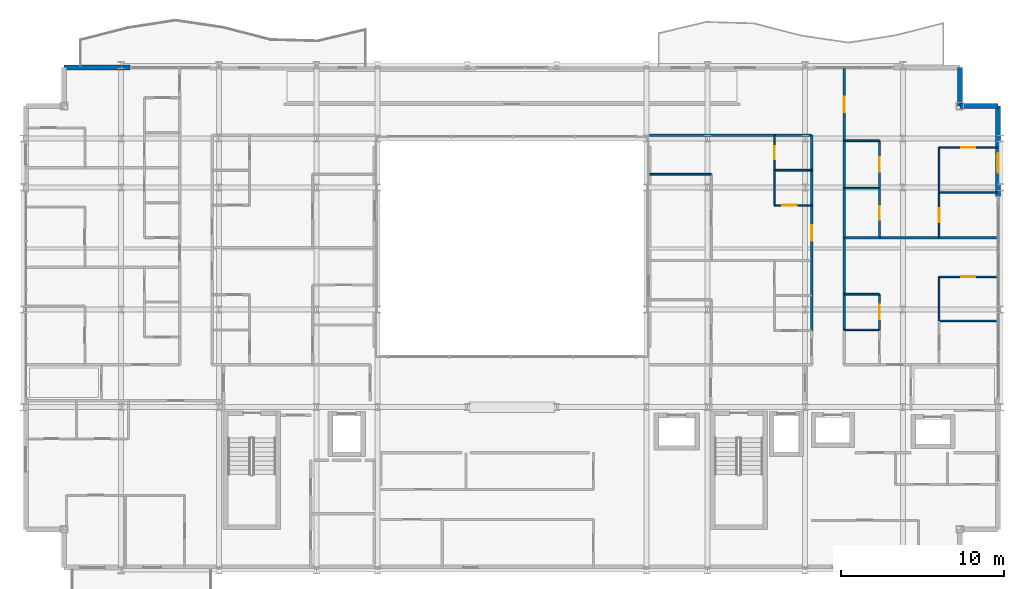
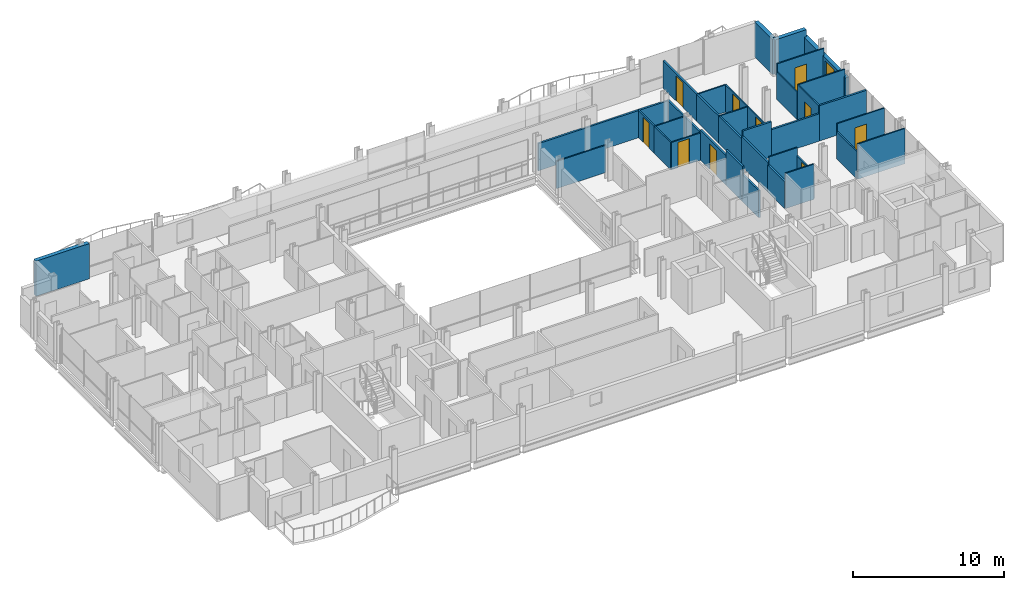
# One storey, part 36 of 41: 38 walls, 10 doors, 1 window, 11 openings.
"""IFC4 building model written with IfcOpenShell, lengths in metres."""

import ifcopenshell
import ifcopenshell.guid

model = None  # the IFC model being written
_history = None  # IfcOwnerHistory: only IFC2X3 demands one
_inside = {}  # id of a spatial element -> (the spatial element, [elements in it])
_under = {}  # id of a project, library or spatial element -> (it, [spatial elements below it])
_declared = {}  # id of a project -> (the project, [libraries it declares])
_typed = {}  # id of a type object -> (the type object, [elements of that type])
_made_of = {}  # id of a material, layer set ... -> (it, [elements and type objects made of it])


def new_model(schema):
    """Start an empty IFC model of exactly this schema.

    Asked for "IFC4X3", IfcOpenShell would pick the latest addendum, in which some entities
    have other attributes; the version numbers below select the first issue.
    IFC2X3 requires an IfcOwnerHistory on every rooted entity: one is made here for all.
    """
    global model, _history
    if schema == "IFC4X3":
        model = ifcopenshell.file(schema_version=(4, 3, 0, 0))
    else:
        model = ifcopenshell.file(schema=schema)
    _inside.clear()
    _under.clear()
    _declared.clear()
    _typed.clear()
    _made_of.clear()
    _history = None
    if model.schema == "IFC2X3":
        org = make("IfcOrganization", Name="unknown")
        user = make(
            "IfcPersonAndOrganization",
            ThePerson=make("IfcPerson", FamilyName="unknown"),
            TheOrganization=org,
        )
        app = make(
            "IfcApplication",
            ApplicationDeveloper=org,
            Version="unknown",
            ApplicationFullName="unknown",
            ApplicationIdentifier="unknown",
        )
        _history = make(
            "IfcOwnerHistory",
            OwningUser=user,
            OwningApplication=app,
            ChangeAction="ADDED",
            CreationDate=0,
        )
    return model


def make(cls, **values):
    """One entity of the class cls with the attributes given. An attribute that is None is left unset."""
    return model.create_entity(
        cls, **{name: value for name, value in values.items() if value is not None}
    )


def rooted(cls, **values):
    """An entity with a GlobalId (a new one), such as an element, a storey or a relation."""
    return make(cls, GlobalId=ifcopenshell.guid.new(), OwnerHistory=_history, **values)


def si_unit(unit_type, name, prefix=None):
    """IfcSIUnit, for example si_unit("LENGTHUNIT", "METRE", prefix="MILLI")."""
    return make("IfcSIUnit", UnitType=unit_type, Prefix=prefix, Name=name)


def assignment(units):
    """IfcUnitAssignment: the units of a project."""
    return None if units is None else make("IfcUnitAssignment", Units=units)


def point(xyz):
    """IfcCartesianPoint."""
    return None if xyz is None else make("IfcCartesianPoint", Coordinates=xyz)


def direction(xyz):
    """IfcDirection."""
    return None if xyz is None else make("IfcDirection", DirectionRatios=xyz)


def frame(location, z_axis=None, x_axis=None):
    """IfcAxis2Placement3D, a coordinate frame: its origin and axes. An axis left out is left unset."""
    return make(
        "IfcAxis2Placement3D",
        Location=point(location),
        Axis=direction(z_axis),
        RefDirection=direction(x_axis),
    )


def frame_2d(location, x_axis=None):
    """IfcAxis2Placement2D, a coordinate frame in the plane: its origin and x axis."""
    return make(
        "IfcAxis2Placement2D", Location=point(location), RefDirection=direction(x_axis)
    )


def origin():
    """The frame at (0, 0, 0) with its axes left unset."""
    return frame((0.0, 0.0, 0.0))


def place(relative_to, where):
    """IfcLocalPlacement: puts the frame where relative to a parent placement (None: the world)."""
    return make(
        "IfcLocalPlacement", PlacementRelTo=relative_to, RelativePlacement=where
    )


def context(
    kind, dimensions, precision=None, world=None, true_north=None, identifier=None
):
    """IfcGeometricRepresentationContext, for example the 3D "Model" context."""
    return make(
        "IfcGeometricRepresentationContext",
        ContextIdentifier=identifier,
        ContextType=kind,
        CoordinateSpaceDimension=dimensions,
        Precision=precision,
        WorldCoordinateSystem=world,
        TrueNorth=true_north,
    )


def subcontext(parent, identifier, kind, view, scale=None):
    """IfcGeometricRepresentationSubContext, for example "Body" below "Model"."""
    return make(
        "IfcGeometricRepresentationSubContext",
        ContextIdentifier=identifier,
        ContextType=kind,
        ParentContext=parent,
        TargetScale=scale,
        TargetView=view,
    )


def project(units=None, contexts=None):
    """IfcProject with its units and contexts."""
    return rooted(
        "IfcProject",
        Name="project",
        RepresentationContexts=contexts,
        UnitsInContext=assignment(units),
    )


def spatial(cls, under=None, at=None, **own):
    """A site, building, storey or space (cls), placed at a placement, below another one or the project."""
    s = rooted(cls, ObjectPlacement=at, **own)
    if under is not None:
        _under.setdefault(under.id(), (under, []))[1].append(s)
    return s


def profile(cls, at=None, kind="AREA", **sizes):
    """A parametric profile (cls). Its sizes go by their IFC names, for example OverallWidth=200.0."""
    return make(cls, ProfileType=kind, Position=at, **sizes)


def rectangle(**sizes):
    """IfcRectangleProfileDef."""
    return profile("IfcRectangleProfileDef", **sizes)


def extrude(swept, where, along, depth):
    """IfcExtrudedAreaSolid: the profile swept, set in the frame where, extruded along a direction by depth."""
    return make(
        "IfcExtrudedAreaSolid",
        SweptArea=swept,
        Position=where,
        ExtrudedDirection=direction(along),
        Depth=depth,
    )


def shape(context_of_items, identifier, shape_type, items):
    """IfcShapeRepresentation: the items that make up one representation, for example the "Body"."""
    return make(
        "IfcShapeRepresentation",
        ContextOfItems=context_of_items,
        RepresentationIdentifier=identifier,
        RepresentationType=shape_type,
        Items=items,
    )


def material(Name=None, Category=None):
    """IfcMaterial."""
    return make("IfcMaterial", Name=Name, Category=Category)


def layer(
    of_material, thickness, ventilated=None, Name=None, Category=None, Priority=None
):
    """IfcMaterialLayer: one layer of a wall or slab, of a material (None: an air gap)."""
    return make(
        "IfcMaterialLayer",
        Material=of_material,
        LayerThickness=thickness,
        IsVentilated=ventilated,
        Name=Name,
        Category=Category,
        Priority=Priority,
    )


def layer_set(layers, Name=None):
    """IfcMaterialLayerSet."""
    return make("IfcMaterialLayerSet", MaterialLayers=layers, LayerSetName=Name)


def made_of(thing, what):
    """Note that an element or type object is made of a material, layer set ...; save() writes the relation."""
    if what is not None:
        _made_of.setdefault(what.id(), (what, []))[1].append(thing)
    return thing


def type_object(cls, material=None, **own):
    """A type object (cls), such as IfcWallType, which elements share."""
    return made_of(rooted(cls, **own), material)


def element(
    cls,
    number,
    at=None,
    inside=None,
    cuts=None,
    type_object=None,
    material=None,
    context=None,
    identifier="Body",
    shape_type=None,
    held_by="IfcProductDefinitionShape",
    body=None,
    shapes=None,
    **own,
):
    """One element of the class cls, such as IfcWall. Its Tag is "e" and its number.

    at: its placement. inside: the storey or other place that contains it. cuts: it is an
    opening in that element (IfcRelVoidsElement). A single representation is given by context,
    identifier, shape_type and body (its items); several are given by shapes. held_by: the class
    of the entity that holds the representations. save() writes the other relations.
    """
    e = rooted(cls, Tag="e%d" % number, ObjectPlacement=at, **own)
    if body is not None:
        shapes = [shape(context, identifier, shape_type, body)]
    if shapes is not None:
        e.Representation = make(held_by, Representations=shapes)
    if inside is not None:
        _inside.setdefault(inside.id(), (inside, []))[1].append(e)
    if cuts is not None:
        rooted(
            "IfcRelVoidsElement", RelatingBuildingElement=cuts, RelatedOpeningElement=e
        )
    if type_object is not None:
        _typed.setdefault(type_object.id(), (type_object, []))[1].append(e)
    return made_of(e, material)


def fill(opening, filler):
    """IfcRelFillsElement: the door or window that sits in an opening."""
    return rooted(
        "IfcRelFillsElement",
        RelatingOpeningElement=opening,
        RelatedBuildingElement=filler,
    )


def aggregate(whole, parts):
    """IfcRelAggregates: a whole, such as a stair, and the parts it consists of."""
    return rooted("IfcRelAggregates", RelatingObject=whole, RelatedObjects=parts)


def save(model, path):
    """Write the relations noted so far, then the file.

    IfcRelAggregates (storeys below a building ...), IfcRelContainedInSpatialStructure (elements
    in a storey), IfcRelDefinesByType, IfcRelAssociatesMaterial and IfcRelDeclares: one each for
    every whole, place, type object, material and project.
    """
    for whole, parts in _under.values():
        aggregate(whole, parts)
    for where, things in _inside.values():
        rooted(
            "IfcRelContainedInSpatialStructure",
            RelatedElements=things,
            RelatingStructure=where,
        )
    for kind, things in _typed.values():
        rooted("IfcRelDefinesByType", RelatedObjects=things, RelatingType=kind)
    for what, things in _made_of.values():
        rooted("IfcRelAssociatesMaterial", RelatedObjects=things, RelatingMaterial=what)
    for by, libraries in _declared.values():
        rooted("IfcRelDeclares", RelatingContext=by, RelatedDefinitions=libraries)
    model.write(path)


model = new_model("IFC4")

# Units and contexts
model_context = context("Model", 3, precision=1e-05, world=origin(), true_north=direction((0.0, 1.0)))
body_context = subcontext(model_context, "Body", "Model", "MODEL_VIEW")
ifc_project = project(units=[si_unit("LENGTHUNIT", "METRE"), si_unit("AREAUNIT", "SQUARE_METRE"), si_unit("VOLUMEUNIT", "CUBIC_METRE"), si_unit("PLANEANGLEUNIT", "RADIAN"), si_unit("MASSUNIT", "GRAM", prefix="KILO")], contexts=[model_context])

# Site, building, storey
site_placement = place(None, origin())
site = spatial("IfcSite", under=ifc_project, at=site_placement, CompositionType="ELEMENT")
building_placement = place(site_placement, origin())
building = spatial("IfcBuilding", under=site, at=building_placement, Name="Brevholm Reach", CompositionType="ELEMENT")
storey_placement = place(building_placement, frame((0.0, 0.0, 93.10009765625)))
storey = spatial("IfcBuildingStorey", under=building, at=storey_placement, Name="L27", CompositionType="ELEMENT", Elevation=93.10009765625)

# Walls
ifc_material_1 = material(Name="Concrete C40/50", Category="concrete")
ifc_layer_1 = layer(ifc_material_1, 0.300048828125)
ifc_layer_set_1 = layer_set([ifc_layer_1], Name="Concrete C40/50")
wall_type_1 = type_object("IfcWallType", Name="WAL-EXT-300", PredefinedType="STANDARD", material=ifc_layer_set_1)
for number, where, z_axis, x_axis, name in (
    (1, (59.85009765625, 28.5, 0.0), (0.0, 0.0, 1.0), (-1.0, 0.0, 0.0), "L27 Facade Wall WAL-L27-CNE1"),
    (2, (57.5, 28.5, 0.0), (0.0, 0.0, 1.0), (0.0, 1.0, 0.0), "L27 Facade Wall WAL-L27-CNE2"),
):
    element("IfcWall", number, at=place(storey_placement, frame(where, z_axis=z_axis, x_axis=x_axis)), inside=storey, type_object=wall_type_1, Name=name, PredefinedType="STANDARD", context=body_context, shape_type="SweptSolid", body=[
        extrude(rectangle(XDim=2.35009765625, YDim=0.300048828125, at=frame_2d((1.175048828125, 0.0))), origin(), (0.0, 0.0, 1.0), 2.83984375),
    ])

# Wall, opening, window
wall_1_placement = place(storey_placement, frame((59.85009765625, 22.949951171875, 0.0), z_axis=(0.0, 0.0, 1.0), x_axis=(0.0, 1.0, 0.0)))
wall_1 = element("IfcWall", 3, at=wall_1_placement, inside=storey, type_object=wall_type_1, Name="L27 Facade Wall WAL-L27-E-N", PredefinedType="STANDARD", context=body_context, shape_type="SweptSolid", body=[
    extrude(rectangle(XDim=5.550048828125, YDim=0.300048828125, at=frame_2d((2.77490234375, 0.0))), origin(), (0.0, 0.0, 1.0), 2.275390625),
])
opening_1_placement = place(wall_1_placement, frame((1.449951171875, 0.0, 0.4560546875)))
opening_1 = element("IfcOpeningElement", 4, at=opening_1_placement, cuts=wall_1, Name="Opening WN-08", PredefinedType="OPENING", context=body_context, shape_type="SweptSolid", body=[
    extrude(rectangle(XDim=1.199951171875, YDim=1.60009765625, at=frame_2d((0.60009765625, 0.800048828125))), frame((0.0, 0.159912109375, 0.0), z_axis=(0.0, -1.0, 0.0), x_axis=(1.0, 0.0, 0.0)), (0.0, 0.0, 1.0), 0.320068359375),
])
ifc_material_2 = material(Name="Dark Anodised Aluminium and Solar-Control IGU Glass", Category="aluminium")
window_type = type_object("IfcWindowType", Name="WIN-RES-1200", PartitioningType="SINGLE_PANEL", PredefinedType="WINDOW", material=ifc_material_2)
window_placement = place(opening_1_placement, origin())
window = element("IfcWindow", 5, at=window_placement, inside=storey, type_object=window_type, Name="L27 Window WIN-L27-EN-1", OverallHeight=1.60009765625, OverallWidth=1.199951171875, PartitioningType="SINGLE_PANEL", PredefinedType="WINDOW", context=body_context, shape_type="SweptSolid", body=[
    extrude(rectangle(XDim=1.199951171875, YDim=1.60009765625, at=frame_2d((0.60009765625, 0.800048828125))), frame((0.0, 0.030029296875, 0.0), z_axis=(0.0, -1.0, 0.0), x_axis=(1.0, 0.0, 0.0)), (0.0, 0.0, 1.0), 0.06005859375),
])
fill(opening_1, window)

# Walls
wall_2_placement = place(storey_placement, frame((2.5, 30.85009765625, 0.0), z_axis=(0.0, 0.0, 1.0), x_axis=(1.0, 0.0, 0.0)))
element("IfcWall", 6, at=wall_2_placement, inside=storey, type_object=wall_type_1, Name="L27 Facade Wall WAL-L27-NP-W0", PredefinedType="STANDARD", context=body_context, shape_type="SweptSolid", body=[
    extrude(rectangle(XDim=4.050048828125, YDim=0.300048828125, at=frame_2d((2.02490234375, 0.0))), origin(), (0.0, 0.0, 1.0), 2.83984375),
])
ifc_material_3 = material(Name="Moisture-Resistant Acoustic Gypsum Stud Partition 100 mm", Category="gypsum")
ifc_layer_2 = layer(ifc_material_3, 0.10009765625)
ifc_layer_set_2 = layer_set([ifc_layer_2], Name="Moisture-Resistant Acoustic Gypsum Stud Partition 100 mm")
wall_type_2 = type_object("IfcWallType", Name="WAL-PRT-100", PredefinedType="PARTITIONING", material=ifc_layer_set_2)
wall_3_placement = place(storey_placement, frame((46.112060546875, 24.550048828125, 0.0), z_axis=(0.0, 0.0, 1.0), x_axis=(1.0, 0.0, 0.0)))
element("IfcWall", 7, at=wall_3_placement, inside=storey, type_object=wall_type_2, Name="L27 Internal Partition 139", PredefinedType="PARTITIONING", context=body_context, shape_type="SweptSolid", body=[
    extrude(rectangle(XDim=2.283935546875, YDim=0.10009765625, at=frame_2d((1.14208984375, 0.0))), origin(), (0.0, 0.0, 1.0), 2.19482421875),
])

# Wall, opening, door
wall_4_placement = place(storey_placement, frame((46.112060546875, 24.550048828125, 0.0), z_axis=(0.0, 0.0, 1.0), x_axis=(0.0, 1.0, 0.0)))
wall_4 = element("IfcWall", 8, at=wall_4_placement, inside=storey, type_object=wall_type_2, Name="L27 Internal Partition 140", PredefinedType="PARTITIONING", context=body_context, shape_type="SweptSolid", body=[
    extrude(rectangle(XDim=2.14599609375, YDim=0.10009765625, at=frame_2d((1.072998046875, 0.0))), origin(), (0.0, 0.0, 1.0), 2.19482421875),
])
opening_2_placement = place(wall_4_placement, frame((0.6630859375, 0.0, 0.0)))
opening_2 = element("IfcOpeningElement", 9, at=opening_2_placement, cuts=wall_4, Name="Opening ID-03", PredefinedType="OPENING", context=body_context, shape_type="SweptSolid", body=[
    extrude(rectangle(XDim=0.820068359375, YDim=2.02001953125, at=frame_2d((0.41015625, 1.010009765625))), frame((0.0, 0.06005859375, 0.0), z_axis=(0.0, -1.0, 0.0), x_axis=(1.0, 0.0, 0.0)), (0.0, 0.0, 1.0), 0.1201171875),
])
ifc_material_4 = material(Name="Moisture-Resistant Painted Timber Internal Bathroom Door", Category="wood")
door_type_1 = type_object("IfcDoorType", Name="DOR-BATH-820", OperationType="NOTDEFINED", PredefinedType="DOOR", material=ifc_material_4)
door_1_placement = place(opening_2_placement, origin())
door_1 = element("IfcDoor", 10, at=door_1_placement, inside=storey, type_object=door_type_1, Name="L27 Internal Door 052", OperationType="SINGLE_SWING_LEFT", OverallHeight=2.02001953125, OverallWidth=0.820068359375, PredefinedType="DOOR", context=body_context, shape_type="SweptSolid", body=[
    extrude(rectangle(XDim=0.820068359375, YDim=2.02001953125, at=frame_2d((0.41015625, 1.010009765625))), frame((0.0, 0.02490234375, 0.0), z_axis=(0.0, -1.0, 0.0), x_axis=(1.0, 0.0, 0.0)), (0.0, 0.0, 1.0), 0.050048828125),
])
fill(opening_2, door_1)

wall_5_placement = place(storey_placement, frame((46.112060546875, 22.39404296875, 0.0), z_axis=(0.0, 0.0, 1.0), x_axis=(1.0, 0.0, 0.0)))
wall_5 = element("IfcWall", 11, at=wall_5_placement, inside=storey, type_object=wall_type_2, Name="L27 Internal Partition 141", PredefinedType="PARTITIONING", context=body_context, shape_type="SweptSolid", body=[
    extrude(rectangle(XDim=2.283935546875, YDim=0.10009765625, at=frame_2d((1.14208984375, 0.0))), origin(), (0.0, 0.0, 1.0), 2.19482421875),
])
opening_3_placement = place(wall_5_placement, frame((0.48193359375, 0.0, 0.0)))
opening_3 = element("IfcOpeningElement", 12, at=opening_3_placement, cuts=wall_5, Name="Opening ID-01", PredefinedType="OPENING", context=body_context, shape_type="SweptSolid", body=[
    extrude(rectangle(XDim=0.8798828125, YDim=2.0400390625, at=frame_2d((0.43994140625, 1.02001953125))), frame((0.0, 0.06005859375, 0.0), z_axis=(0.0, -1.0, 0.0), x_axis=(1.0, 0.0, 0.0)), (0.0, 0.0, 1.0), 0.1201171875),
])
ifc_material_5 = material(Name="Lacquered Ash Solid-Core Acoustic Internal Door", Category="timber")
door_type_2 = type_object("IfcDoorType", Name="DOR-INT-880", OperationType="NOTDEFINED", PredefinedType="DOOR", material=ifc_material_5)
door_2_placement = place(opening_3_placement, origin())
door_2 = element("IfcDoor", 13, at=door_2_placement, inside=storey, type_object=door_type_2, Name="L27 Internal Door 053", OperationType="SINGLE_SWING_RIGHT", OverallHeight=2.0400390625, OverallWidth=0.8798828125, PredefinedType="DOOR", context=body_context, shape_type="SweptSolid", body=[
    extrude(rectangle(XDim=0.8798828125, YDim=2.0400390625, at=frame_2d((0.43994140625, 1.02001953125))), frame((0.0, 0.02490234375, 0.0), z_axis=(0.0, -1.0, 0.0), x_axis=(1.0, 0.0, 0.0)), (0.0, 0.0, 1.0), 0.050048828125),
])
fill(opening_3, door_2)

# Walls
wall_6_placement = place(storey_placement, frame((46.112060546875, 22.39404296875, 0.0), z_axis=(0.0, 0.0, 1.0), x_axis=(0.0, 1.0, 0.0)))
element("IfcWall", 14, at=wall_6_placement, inside=storey, type_object=wall_type_2, Name="L27 Internal Partition 142", PredefinedType="PARTITIONING", context=body_context, shape_type="SweptSolid", body=[
    extrude(rectangle(XDim=2.15185546875, YDim=0.10009765625, at=frame_2d((1.075927734375, 0.0))), origin(), (0.0, 0.0, 1.0), 2.19482421875),
])
wall_7_placement = place(storey_placement, frame((38.449951171875, 24.300048828125, 0.0), z_axis=(0.0, 0.0, 1.0), x_axis=(1.0, 0.0, 0.0)))
element("IfcWall", 15, at=wall_7_placement, inside=storey, type_object=wall_type_2, Name="L27 Internal Partition 144", PredefinedType="PARTITIONING", context=body_context, shape_type="SweptSolid", body=[
    extrude(rectangle(XDim=3.781005859375, YDim=0.10009765625, at=frame_2d((1.890625, 0.0))), origin(), (0.0, 0.0, 1.0), 2.19482421875),
])
wall_8_placement = place(storey_placement, frame((50.404052734375, 14.75, 0.0), z_axis=(0.0, 0.0, 1.0), x_axis=(1.0, 0.0, 0.0)))
element("IfcWall", 16, at=wall_8_placement, inside=storey, type_object=wall_type_2, Name="L27 Internal Partition 145", PredefinedType="PARTITIONING", context=body_context, shape_type="SweptSolid", body=[
    extrude(rectangle(XDim=2.157958984375, YDim=0.10009765625, at=frame_2d((1.0791015625, 0.0))), origin(), (0.0, 0.0, 1.0), 2.83984375),
])

# Wall, opening, door
wall_9_placement = place(storey_placement, frame((52.56201171875, 14.75390625, 0.0), z_axis=(0.0, 0.0, 1.0), x_axis=(0.0, 1.0, 0.0)))
wall_9 = element("IfcWall", 17, at=wall_9_placement, inside=storey, type_object=wall_type_2, Name="L27 Internal Partition 147", PredefinedType="PARTITIONING", context=body_context, shape_type="SweptSolid", body=[
    extrude(rectangle(XDim=2.18017578125, YDim=0.10009765625, at=frame_2d((1.090087890625, 0.0))), origin(), (0.0, 0.0, 1.0), 2.19482421875),
])
opening_4_placement = place(wall_9_placement, frame((0.64990234375, 0.0, 0.0)))
opening_4 = element("IfcOpeningElement", 18, at=opening_4_placement, cuts=wall_9, Name="Opening ID-01", PredefinedType="OPENING", context=body_context, shape_type="SweptSolid", body=[
    extrude(rectangle(XDim=0.8798828125, YDim=2.0400390625, at=frame_2d((0.43994140625, 1.02001953125))), frame((0.0, 0.06005859375, 0.0), z_axis=(0.0, -1.0, 0.0), x_axis=(1.0, 0.0, 0.0)), (0.0, 0.0, 1.0), 0.1201171875),
])
door_3_placement = place(opening_4_placement, origin())
door_3 = element("IfcDoor", 19, at=door_3_placement, inside=storey, type_object=door_type_2, Name="L27 Internal Door 056", OperationType="SINGLE_SWING_LEFT", OverallHeight=2.0400390625, OverallWidth=0.8798828125, PredefinedType="DOOR", context=body_context, shape_type="SweptSolid", body=[
    extrude(rectangle(XDim=0.8798828125, YDim=2.0400390625, at=frame_2d((0.43994140625, 1.02001953125))), frame((0.0, 0.02490234375, 0.0), z_axis=(0.0, -1.0, 0.0), x_axis=(1.0, 0.0, 0.0)), (0.0, 0.0, 1.0), 0.050048828125),
])
fill(opening_4, door_3)

# Walls
wall_10_placement = place(storey_placement, frame((50.404052734375, 16.93408203125, 0.0), z_axis=(0.0, 0.0, 1.0), x_axis=(1.0, 0.0, 0.0)))
element("IfcWall", 20, at=wall_10_placement, inside=storey, type_object=wall_type_2, Name="L27 Internal Partition 148", PredefinedType="PARTITIONING", context=body_context, shape_type="SweptSolid", body=[
    extrude(rectangle(XDim=2.157958984375, YDim=0.10009765625, at=frame_2d((1.0791015625, 0.0))), origin(), (0.0, 0.0, 1.0), 2.83984375),
])
wall_11_placement = place(storey_placement, frame((56.22802734375, 15.300048828125, 0.0), z_axis=(0.0, 0.0, 1.0), x_axis=(1.0, 0.0, 0.0)))
element("IfcWall", 21, at=wall_11_placement, inside=storey, type_object=wall_type_2, Name="L27 Internal Partition 149", PredefinedType="PARTITIONING", context=body_context, shape_type="SweptSolid", body=[
    extrude(rectangle(XDim=3.572021484375, YDim=0.10009765625, at=frame_2d((1.7861328125, 0.0))), origin(), (0.0, 0.0, 1.0), 2.83984375),
])

# Wall, opening, door
wall_12_placement = place(storey_placement, frame((56.22802734375, 18.0, 0.0), z_axis=(0.0, 0.0, 1.0), x_axis=(1.0, 0.0, 0.0)))
wall_12 = element("IfcWall", 22, at=wall_12_placement, inside=storey, type_object=wall_type_2, Name="L27 Internal Partition 151", PredefinedType="PARTITIONING", context=body_context, shape_type="SweptSolid", body=[
    extrude(rectangle(XDim=3.572021484375, YDim=0.10009765625, at=frame_2d((1.7861328125, 0.0))), origin(), (0.0, 0.0, 1.0), 2.83984375),
])
opening_5_placement = place(wall_12_placement, frame((1.345947265625, 0.0, 0.0)))
opening_5 = element("IfcOpeningElement", 23, at=opening_5_placement, cuts=wall_12, Name="Opening ID-01", PredefinedType="OPENING", context=body_context, shape_type="SweptSolid", body=[
    extrude(rectangle(XDim=0.8798828125, YDim=2.0400390625, at=frame_2d((0.43994140625, 1.02001953125))), frame((0.0, 0.06005859375, 0.0), z_axis=(0.0, -1.0, 0.0), x_axis=(1.0, 0.0, 0.0)), (0.0, 0.0, 1.0), 0.1201171875),
])
door_4_placement = place(opening_5_placement, origin())
door_4 = element("IfcDoor", 24, at=door_4_placement, inside=storey, type_object=door_type_2, Name="L27 Internal Door 058", OperationType="SINGLE_SWING_LEFT", OverallHeight=2.0400390625, OverallWidth=0.8798828125, PredefinedType="DOOR", context=body_context, shape_type="SweptSolid", body=[
    extrude(rectangle(XDim=0.8798828125, YDim=2.0400390625, at=frame_2d((0.43994140625, 1.02001953125))), frame((0.0, 0.02490234375, 0.0), z_axis=(0.0, -1.0, 0.0), x_axis=(1.0, 0.0, 0.0)), (0.0, 0.0, 1.0), 0.050048828125),
])
fill(opening_5, door_4)

# Walls
wall_13_placement = place(storey_placement, frame((56.22802734375, 15.303955078125, 0.0), z_axis=(0.0, 0.0, 1.0), x_axis=(0.0, 1.0, 0.0)))
element("IfcWall", 25, at=wall_13_placement, inside=storey, type_object=wall_type_2, Name="L27 Internal Partition 152", PredefinedType="PARTITIONING", context=body_context, shape_type="SweptSolid", body=[
    extrude(rectangle(XDim=2.696044921875, YDim=0.10009765625, at=frame_2d((1.34814453125, 0.0))), origin(), (0.0, 0.0, 1.0), 2.19482421875),
])
wall_14_placement = place(storey_placement, frame((50.404052734375, 23.447998046875, 0.0), z_axis=(0.0, 0.0, 1.0), x_axis=(1.0, 0.0, 0.0)))
element("IfcWall", 26, at=wall_14_placement, inside=storey, type_object=wall_type_2, Name="L27 Internal Partition 156", PredefinedType="PARTITIONING", context=body_context, shape_type="SweptSolid", body=[
    extrude(rectangle(XDim=2.157958984375, YDim=0.10009765625, at=frame_2d((1.0791015625, 0.0))), origin(), (0.0, 0.0, 1.0), 2.19482421875),
])

# Wall, opening, door
wall_15_placement = place(storey_placement, frame((52.56201171875, 20.404052734375, 0.0), z_axis=(0.0, 0.0, 1.0), x_axis=(0.0, 1.0, 0.0)))
wall_15 = element("IfcWall", 27, at=wall_15_placement, inside=storey, type_object=wall_type_2, Name="L27 Internal Partition 157", PredefinedType="PARTITIONING", context=body_context, shape_type="SweptSolid", body=[
    extrude(rectangle(XDim=3.0439453125, YDim=0.10009765625, at=frame_2d((1.52197265625, 0.0))), origin(), (0.0, 0.0, 1.0), 2.19482421875),
])
opening_6_placement = place(wall_15_placement, frame((1.112060546875, 0.0, 0.0)))
opening_6 = element("IfcOpeningElement", 28, at=opening_6_placement, cuts=wall_15, Name="Opening ID-03", PredefinedType="OPENING", context=body_context, shape_type="SweptSolid", body=[
    extrude(rectangle(XDim=0.820068359375, YDim=2.02001953125, at=frame_2d((0.41015625, 1.010009765625))), frame((0.0, 0.06005859375, 0.0), z_axis=(0.0, -1.0, 0.0), x_axis=(1.0, 0.0, 0.0)), (0.0, 0.0, 1.0), 0.1201171875),
])
door_5_placement = place(opening_6_placement, origin())
door_5 = element("IfcDoor", 29, at=door_5_placement, inside=storey, type_object=door_type_1, Name="L27 Internal Door 059", OperationType="SINGLE_SWING_RIGHT", OverallHeight=2.02001953125, OverallWidth=0.820068359375, PredefinedType="DOOR", context=body_context, shape_type="SweptSolid", body=[
    extrude(rectangle(XDim=0.820068359375, YDim=2.02001953125, at=frame_2d((0.41015625, 1.010009765625))), frame((0.0, 0.02490234375, 0.0), z_axis=(0.0, -1.0, 0.0), x_axis=(1.0, 0.0, 0.0)), (0.0, 0.0, 1.0), 0.050048828125),
])
fill(opening_6, door_5)

wall_16_placement = place(storey_placement, frame((52.56201171875, 23.451904296875, 0.0), z_axis=(0.0, 0.0, 1.0), x_axis=(0.0, 1.0, 0.0)))
wall_16 = element("IfcWall", 30, at=wall_16_placement, inside=storey, type_object=wall_type_2, Name="L27 Internal Partition 158", PredefinedType="PARTITIONING", context=body_context, shape_type="SweptSolid", body=[
    extrude(rectangle(XDim=2.908203125, YDim=0.10009765625, at=frame_2d((1.4541015625, 0.0))), origin(), (0.0, 0.0, 1.0), 2.19482421875),
])
opening_7_placement = place(wall_16_placement, frame((1.013916015625, 0.0, 0.0)))
opening_7 = element("IfcOpeningElement", 31, at=opening_7_placement, cuts=wall_16, Name="Opening ID-01", PredefinedType="OPENING", context=body_context, shape_type="SweptSolid", body=[
    extrude(rectangle(XDim=0.8798828125, YDim=2.0400390625, at=frame_2d((0.43994140625, 1.02001953125))), frame((0.0, 0.06005859375, 0.0), z_axis=(0.0, -1.0, 0.0), x_axis=(1.0, 0.0, 0.0)), (0.0, 0.0, 1.0), 0.1201171875),
])
door_6_placement = place(opening_7_placement, origin())
door_6 = element("IfcDoor", 32, at=door_6_placement, inside=storey, type_object=door_type_2, Name="L27 Internal Door 060", OperationType="SINGLE_SWING_LEFT", OverallHeight=2.0400390625, OverallWidth=0.8798828125, PredefinedType="DOOR", context=body_context, shape_type="SweptSolid", body=[
    extrude(rectangle(XDim=0.8798828125, YDim=2.0400390625, at=frame_2d((0.43994140625, 1.02001953125))), frame((0.0, 0.02490234375, 0.0), z_axis=(0.0, -1.0, 0.0), x_axis=(1.0, 0.0, 0.0)), (0.0, 0.0, 1.0), 0.050048828125),
])
fill(opening_7, door_6)

# Walls
wall_17_placement = place(storey_placement, frame((50.404052734375, 26.360107421875, 0.0), z_axis=(0.0, 0.0, 1.0), x_axis=(1.0, 0.0, 0.0)))
element("IfcWall", 33, at=wall_17_placement, inside=storey, type_object=wall_type_2, Name="L27 Internal Partition 159", PredefinedType="PARTITIONING", context=body_context, shape_type="SweptSolid", body=[
    extrude(rectangle(XDim=2.157958984375, YDim=0.10009765625, at=frame_2d((1.0791015625, 0.0))), origin(), (0.0, 0.0, 1.0), 2.19482421875),
])
wall_18_placement = place(storey_placement, frame((56.22802734375, 23.175048828125, 0.0), z_axis=(0.0, 0.0, 1.0), x_axis=(1.0, 0.0, 0.0)))
element("IfcWall", 34, at=wall_18_placement, inside=storey, type_object=wall_type_2, Name="L27 Internal Partition 160", PredefinedType="PARTITIONING", context=body_context, shape_type="SweptSolid", body=[
    extrude(rectangle(XDim=3.572021484375, YDim=0.10009765625, at=frame_2d((1.7861328125, 0.0))), origin(), (0.0, 0.0, 1.0), 2.83984375),
])

# Wall, opening, door
wall_19_placement = place(storey_placement, frame((56.22802734375, 20.404052734375, 0.0), z_axis=(0.0, 0.0, 1.0), x_axis=(0.0, 1.0, 0.0)))
wall_19 = element("IfcWall", 35, at=wall_19_placement, inside=storey, type_object=wall_type_2, Name="L27 Internal Partition 161", PredefinedType="PARTITIONING", context=body_context, shape_type="SweptSolid", body=[
    extrude(rectangle(XDim=2.77099609375, YDim=0.10009765625, at=frame_2d((1.385498046875, 0.0))), origin(), (0.0, 0.0, 1.0), 2.83984375),
])
opening_8_placement = place(wall_19_placement, frame((0.945556640625, 0.0, 0.0)))
opening_8 = element("IfcOpeningElement", 36, at=opening_8_placement, cuts=wall_19, Name="Opening ID-01", PredefinedType="OPENING", context=body_context, shape_type="SweptSolid", body=[
    extrude(rectangle(XDim=0.8798828125, YDim=2.0400390625, at=frame_2d((0.43994140625, 1.02001953125))), frame((0.0, 0.06005859375, 0.0), z_axis=(0.0, -1.0, 0.0), x_axis=(1.0, 0.0, 0.0)), (0.0, 0.0, 1.0), 0.1201171875),
])
door_7_placement = place(opening_8_placement, origin())
door_7 = element("IfcDoor", 37, at=door_7_placement, inside=storey, type_object=door_type_2, Name="L27 Internal Door 061", OperationType="SINGLE_SWING_RIGHT", OverallHeight=2.0400390625, OverallWidth=0.8798828125, PredefinedType="DOOR", context=body_context, shape_type="SweptSolid", body=[
    extrude(rectangle(XDim=0.8798828125, YDim=2.0400390625, at=frame_2d((0.43994140625, 1.02001953125))), frame((0.0, 0.02490234375, 0.0), z_axis=(0.0, -1.0, 0.0), x_axis=(1.0, 0.0, 0.0)), (0.0, 0.0, 1.0), 0.050048828125),
])
fill(opening_8, door_7)

wall_20_placement = place(storey_placement, frame((56.22802734375, 25.949951171875, 0.0), z_axis=(0.0, 0.0, 1.0), x_axis=(1.0, 0.0, 0.0)))
wall_20 = element("IfcWall", 38, at=wall_20_placement, inside=storey, type_object=wall_type_2, Name="L27 Internal Partition 162", PredefinedType="PARTITIONING", context=body_context, shape_type="SweptSolid", body=[
    extrude(rectangle(XDim=3.572021484375, YDim=0.10009765625, at=frame_2d((1.7861328125, 0.0))), origin(), (0.0, 0.0, 1.0), 2.83984375),
])
opening_9_placement = place(wall_20_placement, frame((1.345947265625, 0.0, 0.0)))
opening_9 = element("IfcOpeningElement", 39, at=opening_9_placement, cuts=wall_20, Name="Opening ID-01", PredefinedType="OPENING", context=body_context, shape_type="SweptSolid", body=[
    extrude(rectangle(XDim=0.8798828125, YDim=2.0400390625, at=frame_2d((0.43994140625, 1.02001953125))), frame((0.0, 0.06005859375, 0.0), z_axis=(0.0, -1.0, 0.0), x_axis=(1.0, 0.0, 0.0)), (0.0, 0.0, 1.0), 0.1201171875),
])
door_8_placement = place(opening_9_placement, origin())
door_8 = element("IfcDoor", 40, at=door_8_placement, inside=storey, type_object=door_type_2, Name="L27 Internal Door 062", OperationType="SINGLE_SWING_LEFT", OverallHeight=2.0400390625, OverallWidth=0.8798828125, PredefinedType="DOOR", context=body_context, shape_type="SweptSolid", body=[
    extrude(rectangle(XDim=0.8798828125, YDim=2.0400390625, at=frame_2d((0.43994140625, 1.02001953125))), frame((0.0, 0.02490234375, 0.0), z_axis=(0.0, -1.0, 0.0), x_axis=(1.0, 0.0, 0.0)), (0.0, 0.0, 1.0), 0.050048828125),
])
fill(opening_9, door_8)

# Walls
wall_21_placement = place(storey_placement, frame((56.22802734375, 23.178955078125, 0.0), z_axis=(0.0, 0.0, 1.0), x_axis=(0.0, 1.0, 0.0)))
element("IfcWall", 41, at=wall_21_placement, inside=storey, type_object=wall_type_2, Name="L27 Internal Partition 163", PredefinedType="PARTITIONING", context=body_context, shape_type="SweptSolid", body=[
    extrude(rectangle(XDim=2.77099609375, YDim=0.10009765625, at=frame_2d((1.385498046875, 0.0))), origin(), (0.0, 0.0, 1.0), 2.19482421875),
])
ifc_material_6 = material(Name="Twin-Stud Acoustic Fire-Rated Gypsum Partition 140 mm", Category="gypsum")
ifc_layer_3 = layer(ifc_material_6, 0.139892578125)
ifc_layer_set_3 = layer_set([ifc_layer_3], Name="Twin-Stud Acoustic Fire-Rated Gypsum Partition 140 mm")
wall_type_3 = type_object("IfcWallType", Name="WAL-PRT-140", PredefinedType="PARTITIONING", material=ifc_layer_set_3)
wall_22_placement = place(storey_placement, frame((48.39990234375, 16.838623046875, 0.0), z_axis=(0.0, 0.0, 1.0), x_axis=(0.0, 1.0, 0.0)))
element("IfcWall", 42, at=wall_22_placement, inside=storey, type_object=wall_type_3, Name="L27 Internal Partition 050", PredefinedType="PARTITIONING", context=body_context, shape_type="SweptSolid", body=[
    extrude(rectangle(XDim=2.172607421875, YDim=0.139892578125, at=frame_2d((1.08642578125, 0.0))), origin(), (0.0, 0.0, 1.0), 2.83984375),
])
wall_23_placement = place(storey_placement, frame((48.39990234375, 14.688720703125, 0.0), z_axis=(0.0, 0.0, 1.0), x_axis=(0.0, 1.0, 0.0)))
element("IfcWall", 43, at=wall_23_placement, inside=storey, type_object=wall_type_3, Name="L27 Internal Partition 051", PredefinedType="PARTITIONING", context=body_context, shape_type="SweptSolid", body=[
    extrude(rectangle(XDim=2.168701171875, YDim=0.139892578125, at=frame_2d((1.08447265625, 0.0))), origin(), (0.0, 0.0, 1.0), 2.19482421875),
])
wall_24_placement = place(storey_placement, frame((48.39990234375, 24.538818359375, 0.0), z_axis=(0.0, 0.0, 1.0), x_axis=(0.0, 1.0, 0.0)))
element("IfcWall", 44, at=wall_24_placement, inside=storey, type_object=wall_type_3, Name="L27 Internal Partition 053", PredefinedType="PARTITIONING", context=body_context, shape_type="SweptSolid", body=[
    extrude(rectangle(XDim=2.16845703125, YDim=0.139892578125, at=frame_2d((1.084228515625, 0.0))), origin(), (0.0, 0.0, 1.0), 2.19482421875),
])
wall_25_placement = place(storey_placement, frame((48.39990234375, 22.3828125, 0.0), z_axis=(0.0, 0.0, 1.0), x_axis=(0.0, 1.0, 0.0)))
element("IfcWall", 45, at=wall_25_placement, inside=storey, type_object=wall_type_3, Name="L27 Internal Partition 054", PredefinedType="PARTITIONING", context=body_context, shape_type="SweptSolid", body=[
    extrude(rectangle(XDim=2.174560546875, YDim=0.139892578125, at=frame_2d((1.08740234375, 0.0))), origin(), (0.0, 0.0, 1.0), 2.19482421875),
])

# Wall, opening, door
wall_26_placement = place(storey_placement, frame((48.39990234375, 18.99267578125, 0.0), z_axis=(0.0, 0.0, 1.0), x_axis=(0.0, 1.0, 0.0)))
wall_26 = element("IfcWall", 46, at=wall_26_placement, inside=storey, type_object=wall_type_3, Name="L27 Internal Partition 055", PredefinedType="PARTITIONING", context=body_context, shape_type="SweptSolid", body=[
    extrude(rectangle(XDim=3.40869140625, YDim=0.139892578125, at=frame_2d((1.704345703125, 0.0))), origin(), (0.0, 0.0, 1.0), 2.408447265625),
])
opening_10_placement = place(wall_26_placement, frame((1.229248046875, 0.0, 0.0)))
opening_10 = element("IfcOpeningElement", 47, at=opening_10_placement, cuts=wall_26, Name="Opening ID-30", PredefinedType="OPENING", context=body_context, shape_type="SweptSolid", body=[
    extrude(rectangle(XDim=0.949951171875, YDim=2.050048828125, at=frame_2d((0.47509765625, 1.02490234375))), frame((0.0, 0.079833984375, 0.0), z_axis=(0.0, -1.0, 0.0), x_axis=(1.0, 0.0, 0.0)), (0.0, 0.0, 1.0), 0.159912109375),
])
ifc_material_7 = material(Name="European Oak Veneered Solid-Core Fire Entrance Door", Category="timber")
door_type_3 = type_object("IfcDoorType", Name="DOR-FLT-FD30S", OperationType="NOTDEFINED", PredefinedType="DOOR", material=ifc_material_7)
door_9_placement = place(opening_10_placement, origin())
door_9 = element("IfcDoor", 48, at=door_9_placement, inside=storey, type_object=door_type_3, Name="L27 Internal Door 023", OperationType="SINGLE_SWING_RIGHT", OverallHeight=2.050048828125, OverallWidth=0.949951171875, PredefinedType="DOOR", context=body_context, shape_type="SweptSolid", body=[
    extrude(rectangle(XDim=0.949951171875, YDim=2.050048828125, at=frame_2d((0.47509765625, 1.02490234375))), frame((0.0, 0.02490234375, 0.0), z_axis=(0.0, -1.0, 0.0), x_axis=(1.0, 0.0, 0.0)), (0.0, 0.0, 1.0), 0.050048828125),
])
fill(opening_10, door_9)

# Walls
wall_27_placement = place(storey_placement, frame((50.39990234375, 14.74267578125, 0.0), z_axis=(0.0, 0.0, 1.0), x_axis=(0.0, 1.0, 0.0)))
element("IfcWall", 49, at=wall_27_placement, inside=storey, type_object=wall_type_3, Name="L27 Internal Partition 057", PredefinedType="PARTITIONING", context=body_context, shape_type="SweptSolid", body=[
    extrude(rectangle(XDim=2.20263671875, YDim=0.139892578125, at=frame_2d((1.101318359375, 0.0))), origin(), (0.0, 0.0, 1.0), 2.19482421875),
])
wall_28_placement = place(storey_placement, frame((50.39990234375, 16.9267578125, 0.0), z_axis=(0.0, 0.0, 1.0), x_axis=(0.0, 1.0, 0.0)))
element("IfcWall", 50, at=wall_28_placement, inside=storey, type_object=wall_type_3, Name="L27 Internal Partition 058", PredefinedType="PARTITIONING", context=body_context, shape_type="SweptSolid", body=[
    extrude(rectangle(XDim=3.484619140625, YDim=0.139892578125, at=frame_2d((1.7421875, 0.0))), origin(), (0.0, 0.0, 1.0), 2.408447265625),
])
wall_29_placement = place(storey_placement, frame((50.39990234375, 20.392578125, 0.0), z_axis=(0.0, 0.0, 1.0), x_axis=(0.0, 1.0, 0.0)))
element("IfcWall", 51, at=wall_29_placement, inside=storey, type_object=wall_type_3, Name="L27 Internal Partition 059", PredefinedType="PARTITIONING", context=body_context, shape_type="SweptSolid", body=[
    extrude(rectangle(XDim=3.066650390625, YDim=0.139892578125, at=frame_2d((1.533203125, 0.0))), origin(), (0.0, 0.0, 1.0), 2.19482421875),
])
wall_30_placement = place(storey_placement, frame((50.39990234375, 23.440673828125, 0.0), z_axis=(0.0, 0.0, 1.0), x_axis=(0.0, 1.0, 0.0)))
element("IfcWall", 52, at=wall_30_placement, inside=storey, type_object=wall_type_3, Name="L27 Internal Partition 060", PredefinedType="PARTITIONING", context=body_context, shape_type="SweptSolid", body=[
    extrude(rectangle(XDim=2.9306640625, YDim=0.139892578125, at=frame_2d((1.46533203125, 0.0))), origin(), (0.0, 0.0, 1.0), 2.19482421875),
])

# Wall, opening, door
wall_31_placement = place(storey_placement, frame((50.39990234375, 26.352783203125, 0.0), z_axis=(0.0, 0.0, 1.0), x_axis=(0.0, 1.0, 0.0)))
wall_31 = element("IfcWall", 53, at=wall_31_placement, inside=storey, type_object=wall_type_3, Name="L27 Internal Partition 061", PredefinedType="PARTITIONING", context=body_context, shape_type="SweptSolid", body=[
    extrude(rectangle(XDim=4.447265625, YDim=0.139892578125, at=frame_2d((2.2236328125, 0.0))), origin(), (0.0, 0.0, 1.0), 2.19482421875),
])
opening_11_placement = place(wall_31_placement, frame((1.748779296875, 0.0, 0.0)))
opening_11 = element("IfcOpeningElement", 54, at=opening_11_placement, cuts=wall_31, Name="Opening ID-30", PredefinedType="OPENING", context=body_context, shape_type="SweptSolid", body=[
    extrude(rectangle(XDim=0.949951171875, YDim=2.050048828125, at=frame_2d((0.47509765625, 1.02490234375))), frame((0.0, 0.079833984375, 0.0), z_axis=(0.0, -1.0, 0.0), x_axis=(1.0, 0.0, 0.0)), (0.0, 0.0, 1.0), 0.159912109375),
])
door_10_placement = place(opening_11_placement, origin())
door_10 = element("IfcDoor", 55, at=door_10_placement, inside=storey, type_object=door_type_3, Name="L27 Internal Door 024", OperationType="SINGLE_SWING_LEFT", OverallHeight=2.050048828125, OverallWidth=0.949951171875, PredefinedType="DOOR", context=body_context, shape_type="SweptSolid", body=[
    extrude(rectangle(XDim=0.949951171875, YDim=2.050048828125, at=frame_2d((0.47509765625, 1.02490234375))), frame((0.0, 0.02490234375, 0.0), z_axis=(0.0, -1.0, 0.0), x_axis=(1.0, 0.0, 0.0)), (0.0, 0.0, 1.0), 0.050048828125),
])
fill(opening_11, door_10)

# Walls
wall_32_placement = place(storey_placement, frame((46.1005859375, 26.699951171875, 0.0), z_axis=(0.0, 0.0, 1.0), x_axis=(1.0, 0.0, 0.0)))
element("IfcWall", 56, at=wall_32_placement, inside=storey, type_object=wall_type_3, Name="L27 Internal Partition 064", PredefinedType="PARTITIONING", context=body_context, shape_type="SweptSolid", body=[
    extrude(rectangle(XDim=2.29541015625, YDim=0.139892578125, at=frame_2d((1.147705078125, 0.0))), origin(), (0.0, 0.0, 1.0), 2.19482421875),
])
wall_33_placement = place(storey_placement, frame((38.438720703125, 26.699951171875, 0.0), z_axis=(0.0, 0.0, 1.0), x_axis=(1.0, 0.0, 0.0)))
element("IfcWall", 57, at=wall_33_placement, inside=storey, type_object=wall_type_3, Name="L27 Internal Partition 065", PredefinedType="PARTITIONING", context=body_context, shape_type="SweptSolid", body=[
    extrude(rectangle(XDim=7.6806640625, YDim=0.139892578125, at=frame_2d((3.84033203125, 0.0))), origin(), (0.0, 0.0, 1.0), 2.19482421875),
])
wall_34_placement = place(storey_placement, frame((50.404052734375, 20.39990234375, 0.0), z_axis=(0.0, 0.0, 1.0), x_axis=(1.0, 0.0, 0.0)))
element("IfcWall", 58, at=wall_34_placement, inside=storey, type_object=wall_type_3, Name="L27 Internal Partition 153", PredefinedType="PARTITIONING", context=body_context, shape_type="SweptSolid", body=[
    extrude(rectangle(XDim=2.169189453125, YDim=0.139892578125, at=frame_2d((1.08447265625, 0.0))), origin(), (0.0, 0.0, 1.0), 2.83984375),
])
wall_35_placement = place(storey_placement, frame((56.216796875, 20.39990234375, 0.0), z_axis=(0.0, 0.0, 1.0), x_axis=(1.0, 0.0, 0.0)))
element("IfcWall", 59, at=wall_35_placement, inside=storey, type_object=wall_type_3, Name="L27 Internal Partition 154", PredefinedType="PARTITIONING", context=body_context, shape_type="SweptSolid", body=[
    extrude(rectangle(XDim=3.583251953125, YDim=0.139892578125, at=frame_2d((1.79150390625, 0.0))), origin(), (0.0, 0.0, 1.0), 2.83984375),
])
wall_36_placement = place(storey_placement, frame((52.5546875, 20.39990234375, 0.0), z_axis=(0.0, 0.0, 1.0), x_axis=(1.0, 0.0, 0.0)))
element("IfcWall", 60, at=wall_36_placement, inside=storey, type_object=wall_type_3, Name="L27 Internal Partition 155", PredefinedType="PARTITIONING", context=body_context, shape_type="SweptSolid", body=[
    extrude(rectangle(XDim=3.6806640625, YDim=0.139892578125, at=frame_2d((1.84033203125, 0.0))), origin(), (0.0, 0.0, 1.0), 2.19482421875),
])

save(model, "model.ifc")
